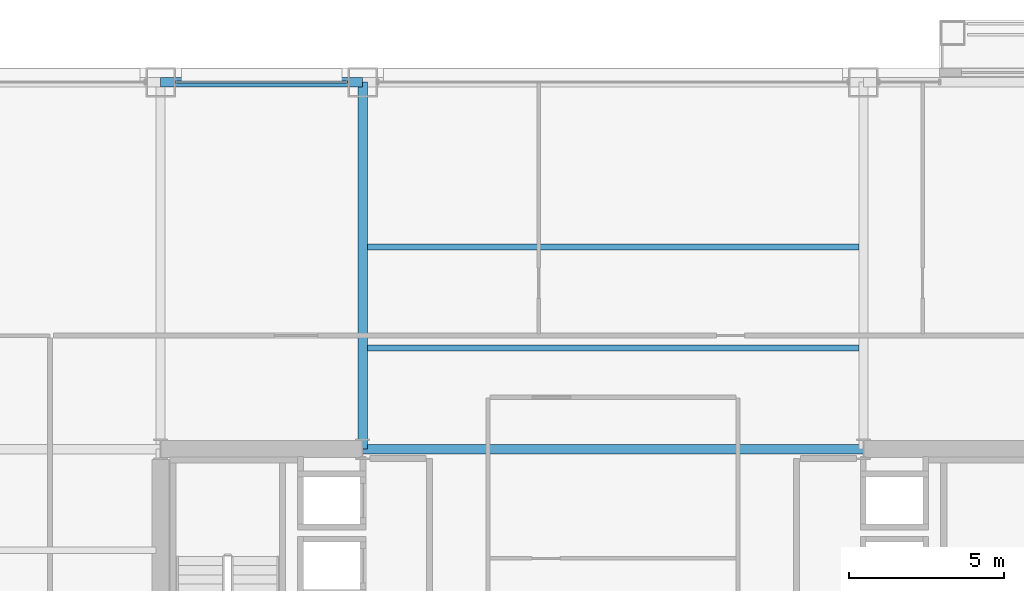
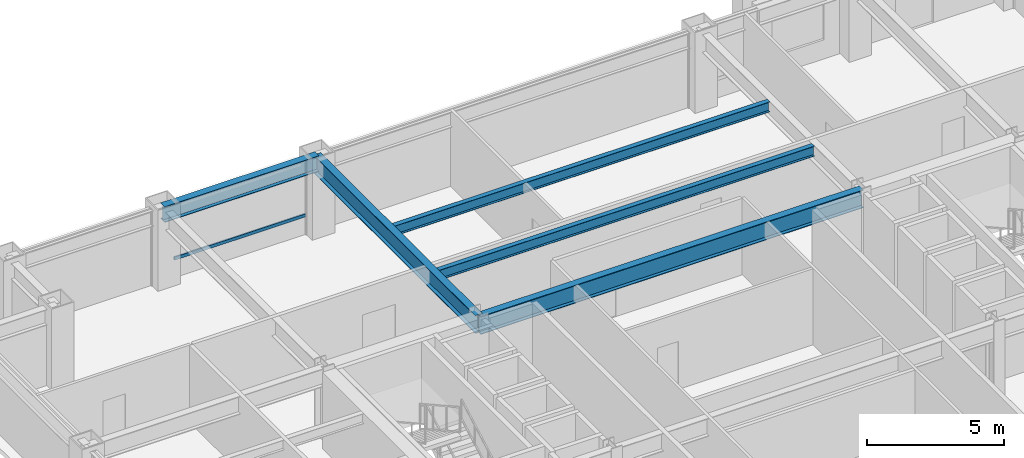
# One storey, part 18 of 31: 5 beams, 1 member, 1 element without a shape of its own.
"""IFC4 building model written with IfcOpenShell, lengths in metres."""

from ifc_helpers import new_model, si_unit, direction, frame, origin, origin_2d, place, context, subcontext, project, spatial, hollow_rectangle, i_section, extrude, material, layer, layer_set, material_profile, profile_set, type_object, element, aggregate, save


model = new_model("IFC4")

# Units and contexts
model_context = context("Model", 3, precision=1e-05, world=origin(), true_north=direction((0.0, 1.0)))
body_context = subcontext(model_context, "Body", "Model", "MODEL_VIEW")
ifc_project = project(units=[si_unit("LENGTHUNIT", "METRE"), si_unit("AREAUNIT", "SQUARE_METRE"), si_unit("VOLUMEUNIT", "CUBIC_METRE"), si_unit("PLANEANGLEUNIT", "RADIAN"), si_unit("MASSUNIT", "GRAM", prefix="KILO")], contexts=[model_context])

# Site, building, storey
site_placement = place(None, origin())
site = spatial("IfcSite", under=ifc_project, at=site_placement, CompositionType="ELEMENT")
building_placement = place(site_placement, origin())
building = spatial("IfcBuilding", under=site, at=building_placement, Name="Brelmoor Portico Tower", CompositionType="ELEMENT")
storey_placement = place(building_placement, frame((0.0, 0.0, 38.39990234375)))
storey = spatial("IfcBuildingStorey", under=building, at=storey_placement, Name="L09", CompositionType="ELEMENT", Elevation=38.39990234375)

# Beams
ifc_material_1 = material(Name="Steel Q355B", Category="steel")
ifc_material_profile_1 = material_profile(ifc_material_1, i_section(OverallWidth=0.199951171875, OverallDepth=0.449951171875, WebThickness=0.009033203125, FlangeThickness=0.013916015625, at=origin_2d()), Name="HN 450x200x9x14")
ifc_profile_set_1 = profile_set([ifc_material_profile_1], Name="Steel Q355B")
beam_type_1 = type_object("IfcBeamType", Name="BM-JS-450", PredefinedType="JOIST", material=ifc_profile_set_1)
for number, where, z_axis, x_axis, name in (
    (1, (-7.89990234375, 13.0, 3.175048828125), (1.0, 0.0, 0.0), (0.0, 1.0, 0.0), "L09 Secondary Composite Joist JS-C03"),
    (2, (-7.89990234375, 16.25, 3.175048828125), (1.0, 0.0, 0.0), (0.0, 1.0, 0.0), "L09 Secondary Composite Joist JS-C04"),
):
    element("IfcBeam", number, at=place(storey_placement, frame(where, z_axis=z_axis, x_axis=x_axis)), inside=storey, type_object=beam_type_1, Name=name, PredefinedType="JOIST", context=body_context, shape_type="SweptSolid", body=[
        extrude(i_section(OverallWidth=0.199951171875, OverallDepth=0.449951171875, WebThickness=0.009033203125, FlangeThickness=0.013916015625, at=origin_2d()), origin(), (0.0, 0.0, 1.0), 15.7998046875),
    ])
ifc_material_profile_2 = material_profile(ifc_material_1, i_section(OverallWidth=0.300048828125, OverallDepth=0.800048828125, WebThickness=0.013916015625, FlangeThickness=0.02587890625, at=origin_2d()), Name="HN 800x300x14x26")
ifc_profile_set_2 = profile_set([ifc_material_profile_2], Name="Steel Q355B")
beam_type_2 = type_object("IfcBeamType", Name="BM-PG-800", PredefinedType="BEAM", material=ifc_profile_set_2)
beam_1_placement = place(storey_placement, frame((-8.050048828125, 9.75, 3.0), z_axis=(0.0, 1.0, 0.0), x_axis=(-1.0, 0.0, 0.0)))
element("IfcBeam", 3, at=beam_1_placement, inside=storey, type_object=beam_type_2, Name="L09 Primary Floor Girder PG-08", PredefinedType="BEAM", context=body_context, shape_type="SweptSolid", body=[
    extrude(i_section(OverallWidth=0.300048828125, OverallDepth=0.800048828125, WebThickness=0.013916015625, FlangeThickness=0.02587890625, at=origin_2d()), origin(), (0.0, 0.0, 1.0), 11.800048828125),
])
beam_2_placement = place(storey_placement, frame((-8.050048828125, 9.75, 3.0), z_axis=(1.0, 0.0, 0.0), x_axis=(0.0, 1.0, 0.0)))
element("IfcBeam", 4, at=beam_2_placement, inside=storey, type_object=beam_type_2, Name="L09 Primary Floor Girder PG-29", PredefinedType="BEAM", context=body_context, shape_type="SweptSolid", body=[
    extrude(i_section(OverallWidth=0.300048828125, OverallDepth=0.800048828125, WebThickness=0.013916015625, FlangeThickness=0.02587890625, at=origin_2d()), origin(), (0.0, 0.0, 1.0), 16.10009765625),
])
ifc_material_profile_3 = material_profile(ifc_material_1, i_section(OverallWidth=0.300048828125, OverallDepth=0.699951171875, WebThickness=0.012939453125, FlangeThickness=0.02392578125, at=origin_2d()), Name="HN 700x300x13x24")
ifc_profile_set_3 = profile_set([ifc_material_profile_3], Name="Steel Q355B")
beam_type_3 = type_object("IfcBeamType", Name="BM-SP-700", PredefinedType="SPANDREL", material=ifc_profile_set_3)
beam_3_placement = place(storey_placement, frame((-14.550048828125, 21.550048828125, 3.050048828125), z_axis=(1.0, 0.0, 0.0), x_axis=(0.0, 1.0, 0.0)))
element("IfcBeam", 5, at=beam_3_placement, inside=storey, type_object=beam_type_3, Name="L09 Perimeter Spandrel Beam SP-11", PredefinedType="SPANDREL", context=body_context, shape_type="SweptSolid", body=[
    extrude(i_section(OverallWidth=0.300048828125, OverallDepth=0.699951171875, WebThickness=0.012939453125, FlangeThickness=0.02392578125, at=origin_2d()), origin(), (0.0, 0.0, 1.0), 6.5),
])

# Curtain wall, member
ifc_material_2 = material(Name="Anodised Aluminium Alloy 6063-T6", Category="aluminium")
ifc_layer = layer(ifc_material_2, 0.179931640625)
ifc_layer_set = layer_set([ifc_layer], Name="Anodised Aluminium Alloy 6063-T6")
curtain_wall_type = type_object("IfcCurtainWallType", Name="CW-TOWER-Z1", PredefinedType="NOTDEFINED", material=ifc_layer_set)
curtain_wall_placement = place(storey_placement, origin())
curtain_wall = element("IfcCurtainWall", 6, at=curtain_wall_placement, inside=storey, type_object=curtain_wall_type, Name="L09 Curtain Wall CW-L09-2L-2", PredefinedType="NOTDEFINED")
ifc_material_profile_4 = material_profile(ifc_material_2, hollow_rectangle(XDim=0.06494140625, YDim=0.139892578125, WallThickness=0.00390625, at=origin_2d()), Name="ALU TRANSOM 65x140")
ifc_profile_set_4 = profile_set([ifc_material_profile_4], Name="Anodised Aluminium Alloy 6063-T6")
member_type = type_object("IfcMemberType", Name="MB-CW-TRAN-140", PredefinedType="USERDEFINED", material=ifc_profile_set_4)
member_placement = place(storey_placement, frame((-14.06494140625, 21.550048828125, 0.85009765625), z_axis=(1.0, 0.0, 0.0), x_axis=(0.0, 1.0, 0.0)))
member = element("IfcMember", 7, at=member_placement, type_object=member_type, Name="CW-L09-2L-2 Transom 1-00", ObjectType="TRANSOM", PredefinedType="USERDEFINED", context=body_context, shape_type="SweptSolid", body=[
    extrude(hollow_rectangle(XDim=0.06494140625, YDim=0.139892578125, WallThickness=0.00390625, at=origin_2d()), origin(), (0.0, 0.0, 1.0), 5.530029296875),
])
aggregate(curtain_wall, [member])

save(model, "model.ifc")
